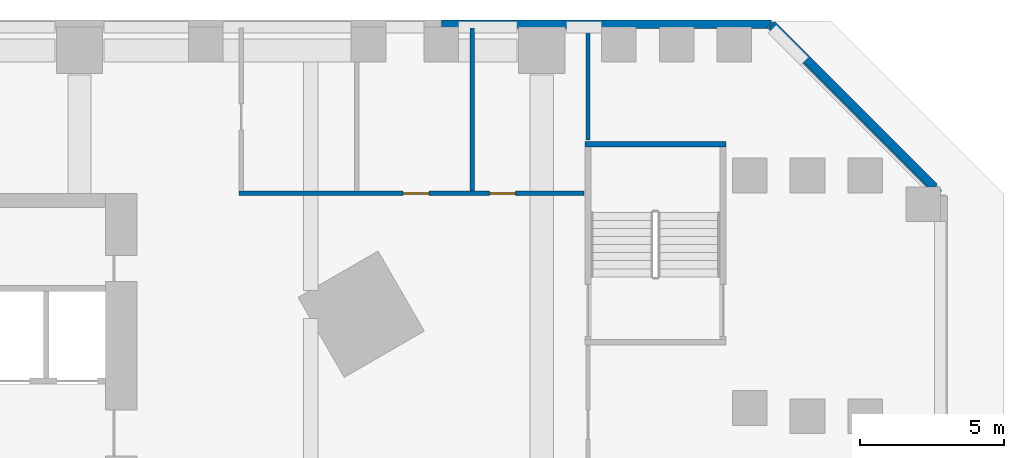
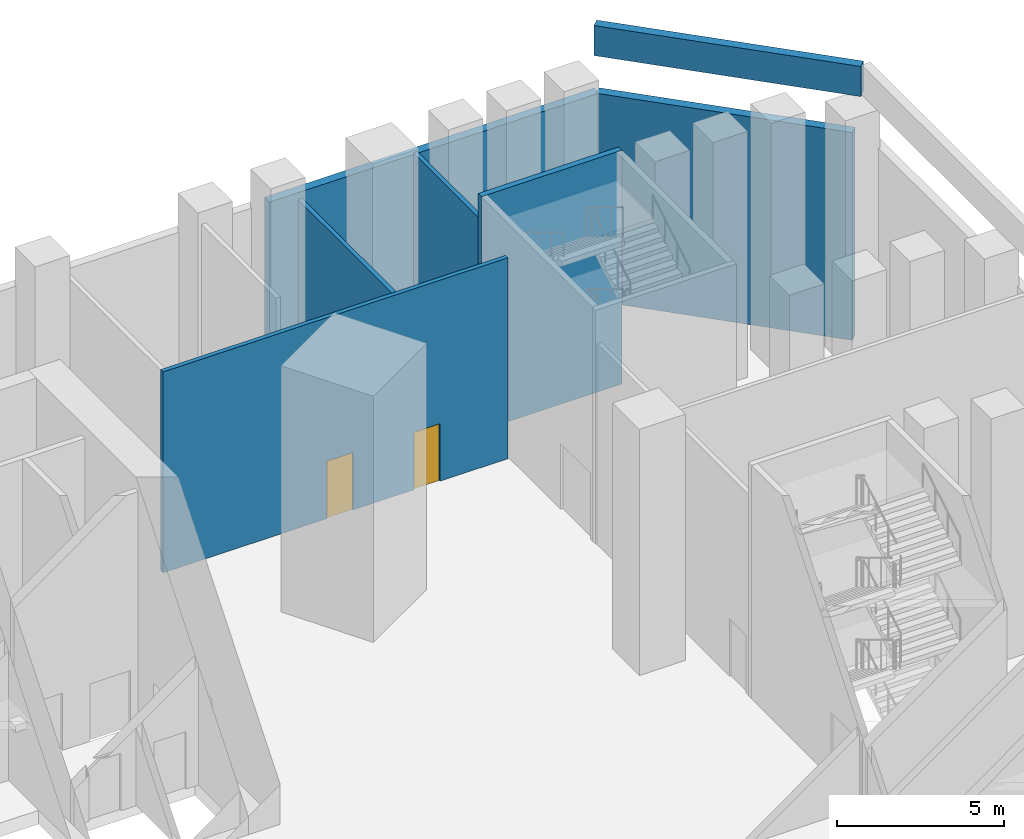
# One storey, part 11 of 25: 7 walls, 2 doors, 2 openings.
"""IFC4 building model written with IfcOpenShell, lengths in metres."""

from ifc_helpers import new_model, si_unit, direction, frame, frame_2d, origin, place, context, subcontext, project, spatial, rectangle, extrude, material, layer, layer_set, type_object, element, fill, save


model = new_model("IFC4")

# Units and contexts
model_context = context("Model", 3, precision=1e-05, world=origin(), true_north=direction((0.0, 1.0)))
body_context = subcontext(model_context, "Body", "Model", "MODEL_VIEW")
ifc_project = project(units=[si_unit("LENGTHUNIT", "METRE"), si_unit("AREAUNIT", "SQUARE_METRE"), si_unit("VOLUMEUNIT", "CUBIC_METRE"), si_unit("PLANEANGLEUNIT", "RADIAN"), si_unit("MASSUNIT", "GRAM", prefix="KILO")], contexts=[model_context])

# Site, building, storey
site_placement = place(None, origin())
site = spatial("IfcSite", under=ifc_project, at=site_placement, CompositionType="ELEMENT")
building_placement = place(site_placement, origin())
building = spatial("IfcBuilding", under=site, at=building_placement, Name="Calabash Gate Tower", CompositionType="ELEMENT")
storey_placement = place(building_placement, frame((0.0, 0.0, 20.0)))
storey = spatial("IfcBuildingStorey", under=building, at=storey_placement, Name="L02", CompositionType="ELEMENT", Elevation=20.0)

# Wall, openings, doors
ifc_material_1 = material(Name="Gypsum board on steel studs, mineral wool", Category="steel")
ifc_layer_1 = layer(ifc_material_1, 0.14990234375)
ifc_layer_set_1 = layer_set([ifc_layer_1], Name="Partition 150 gypsum board")
wall_type_1 = type_object("IfcWallType", Name="Partition 150 gypsum board", PredefinedType="PARTITIONING", material=ifc_layer_set_1)
wall_1_placement = place(storey_placement, frame((21.52490234375, 19.050048828125, 0.0), z_axis=(0.0, 0.0, 1.0), x_axis=(1.0, 0.0, 0.0)))
wall_1 = element("IfcWall", 1, at=wall_1_placement, inside=storey, type_object=wall_type_1, Name="Partition", PredefinedType="PARTITIONING", context=body_context, shape_type="SweptSolid", body=[
    extrude(rectangle(XDim=11.93505859375, YDim=0.14990234375, at=frame_2d((5.967529296875, 0.0))), origin(), (0.0, 0.0, 1.0), 7.35009765625),
])
opening_1_placement = place(wall_1_placement, frame((5.675048828125, 0.0, 0.0)))
opening_1 = element("IfcOpeningElement", 2, at=opening_1_placement, cuts=wall_1, Name="Opening L02-043", PredefinedType="OPENING", context=body_context, shape_type="SweptSolid", body=[
    extrude(rectangle(XDim=0.89990234375, YDim=2.10009765625, at=frame_2d((0.449951171875, 1.050048828125))), frame((0.0, 0.0849609375, 0.0), z_axis=(0.0, -1.0, 0.0), x_axis=(1.0, 0.0, 0.0)), (0.0, 0.0, 1.0), 0.169921875),
])
opening_2_placement = place(wall_1_placement, frame((8.675048828125, 0.0, 0.0)))
opening_2 = element("IfcOpeningElement", 3, at=opening_2_placement, cuts=wall_1, Name="Opening L02-044", PredefinedType="OPENING", context=body_context, shape_type="SweptSolid", body=[
    extrude(rectangle(XDim=0.89990234375, YDim=2.10009765625, at=frame_2d((0.449951171875, 1.050048828125))), frame((0.0, 0.0849609375, 0.0), z_axis=(0.0, -1.0, 0.0), x_axis=(1.0, 0.0, 0.0)), (0.0, 0.0, 1.0), 0.169921875),
])
ifc_material_2 = material(Name="Steel fire door set with fire-resisting glazing", Category="steel")
door_type = type_object("IfcDoorType", Name="Fire door D13 900x2100 FD30", OperationType="NOTDEFINED", PredefinedType="DOOR", material=ifc_material_2)
door_1_placement = place(opening_1_placement, origin())
door_1 = element("IfcDoor", 4, at=door_1_placement, inside=storey, type_object=door_type, Name="Women's WC door", OperationType="SINGLE_SWING_RIGHT", OverallHeight=2.10009765625, OverallWidth=0.89990234375, PredefinedType="DOOR", context=body_context, shape_type="SweptSolid", body=[
    extrude(rectangle(XDim=0.89990234375, YDim=2.10009765625, at=frame_2d((0.449951171875, 1.050048828125))), frame((0.0, 0.02490234375, 0.0), z_axis=(0.0, -1.0, 0.0), x_axis=(1.0, 0.0, 0.0)), (0.0, 0.0, 1.0), 0.050048828125),
])
fill(opening_1, door_1)
door_2_placement = place(opening_2_placement, origin())
door_2 = element("IfcDoor", 5, at=door_2_placement, inside=storey, type_object=door_type, Name="Accessible WC door", OperationType="SINGLE_SWING_RIGHT", OverallHeight=2.10009765625, OverallWidth=0.89990234375, PredefinedType="DOOR", context=body_context, shape_type="SweptSolid", body=[
    extrude(rectangle(XDim=0.89990234375, YDim=2.10009765625, at=frame_2d((0.449951171875, 1.050048828125))), frame((0.0, 0.02490234375, 0.0), z_axis=(0.0, -1.0, 0.0), x_axis=(1.0, 0.0, 0.0)), (0.0, 0.0, 1.0), 0.050048828125),
])
fill(opening_2, door_2)

# Walls
wall_2_placement = place(storey_placement, frame((29.60009765625, 19.125, 0.0), z_axis=(0.0, 0.0, 1.0), x_axis=(0.0, 1.0, 0.0)))
element("IfcWall", 6, at=wall_2_placement, inside=storey, type_object=wall_type_1, Name="Partition", PredefinedType="PARTITIONING", context=body_context, shape_type="SweptSolid", body=[
    extrude(rectangle(XDim=5.64501953125, YDim=0.14990234375, at=frame_2d((2.822509765625, 0.0))), origin(), (0.0, 0.0, 1.0), 7.35009765625),
])
wall_3_placement = place(storey_placement, frame((33.60009765625, 20.889892578125, 0.0), z_axis=(0.0, 0.0, 1.0), x_axis=(0.0, 1.0, 0.0)))
element("IfcWall", 7, at=wall_3_placement, inside=storey, type_object=wall_type_1, Name="Partition", PredefinedType="PARTITIONING", context=body_context, shape_type="SweptSolid", body=[
    extrude(rectangle(XDim=3.880126953125, YDim=0.14990234375, at=frame_2d((1.93994140625, 0.0))), origin(), (0.0, 0.0, 1.0), 7.64990234375),
])
ifc_material_3 = material(Name="Terracotta brick masonry, exposed face", Category="masonry")
ifc_layer_2 = layer(ifc_material_3, 0.300048828125)
ifc_layer_set_2 = layer_set([ifc_layer_2], Name="Podium brick wall 300")
wall_type_2 = type_object("IfcWallType", Name="Podium brick wall 300", PredefinedType="SOLIDWALL", material=ifc_layer_set_2)
wall_4_placement = place(storey_placement, frame((45.587646484375, 19.27099609375, 0.0), z_axis=(0.0, 0.0, 1.0), x_axis=(-0.707106781187, 0.707106781187, 0.0)))
element("IfcWall", 8, at=wall_4_placement, inside=storey, type_object=wall_type_2, Name="Podium brick wall L02 3.0.0", PredefinedType="SOLIDWALL", context=body_context, shape_type="SweptSolid", body=[
    extrude(rectangle(XDim=7.9521484375, YDim=0.300048828125, at=frame_2d((3.97607421875, 0.0))), origin(), (0.0, 0.0, 1.0), 7.60009765625),
])
wall_5_placement = place(storey_placement, frame((39.949951171875, 24.89990234375, 0.0), z_axis=(0.0, 0.0, 1.0), x_axis=(-1.0, 0.0, 0.0)))
element("IfcWall", 9, at=wall_5_placement, inside=storey, type_object=wall_type_2, Name="Podium brick wall L02 4.0.0", PredefinedType="SOLIDWALL", context=body_context, shape_type="SweptSolid", body=[
    extrude(rectangle(XDim=11.414306640625, YDim=0.300048828125, at=frame_2d((5.70703125, 0.0))), origin(), (0.0, 0.0, 1.0), 7.60009765625),
])
ifc_material_4 = material(Name="Terracotta brick masonry, exposed face", Category="masonry")
ifc_layer_3 = layer(ifc_material_4, 0.300048828125)
ifc_layer_set_3 = layer_set([ifc_layer_3], Name="Podium parapet wall 300")
wall_type_3 = type_object("IfcWallType", Name="Podium parapet wall 300", PredefinedType="PARAPET", material=ifc_layer_set_3)
wall_6_placement = place(storey_placement, frame((45.745361328125, 19.04248046875, 9.0), z_axis=(0.0, 0.0, 1.0), x_axis=(-0.707092029666, 0.7071215324, 0.0)))
element("IfcWall", 10, at=wall_6_placement, inside=storey, type_object=wall_type_3, Name="Podium parapet L02 3.0.0", PredefinedType="PARAPET", context=body_context, shape_type="SweptSolid", body=[
    extrude(rectangle(XDim=8.275146484375, YDim=0.300048828125, at=frame_2d((4.1376953125, 0.0))), origin(), (0.0, 0.0, 1.0), 1.10009765625),
])
ifc_material_5 = material(Name="Concrete C40/50", Category="concrete")
ifc_layer_4 = layer(ifc_material_5, 0.199951171875)
ifc_layer_set_4 = layer_set([ifc_layer_4], Name="Stair wall 200 Concrete C40/50")
wall_type_4 = type_object("IfcWallType", Name="Stair wall 200 Concrete C40/50", PredefinedType="SOLIDWALL", material=ifc_layer_set_4)
wall_7_placement = place(storey_placement, frame((33.5, 20.75, 0.0), z_axis=(0.0, 0.0, 1.0), x_axis=(1.0, 0.0, 0.0)))
element("IfcWall", 11, at=wall_7_placement, inside=storey, type_object=wall_type_4, Name="Stair wall", PredefinedType="SOLIDWALL", context=body_context, shape_type="SweptSolid", body=[
    extrude(rectangle(XDim=4.8701171875, YDim=0.199951171875, at=frame_2d((2.43505859375, 0.0))), origin(), (0.0, 0.0, 1.0), 8.550048828125),
])

save(model, "model.ifc")
